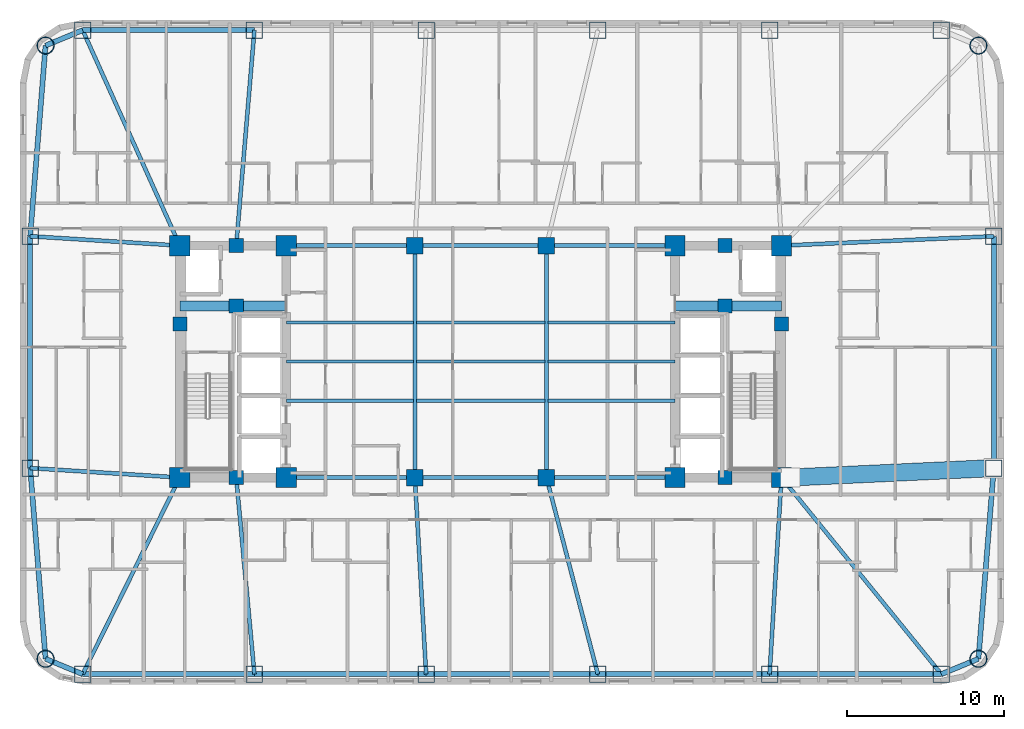
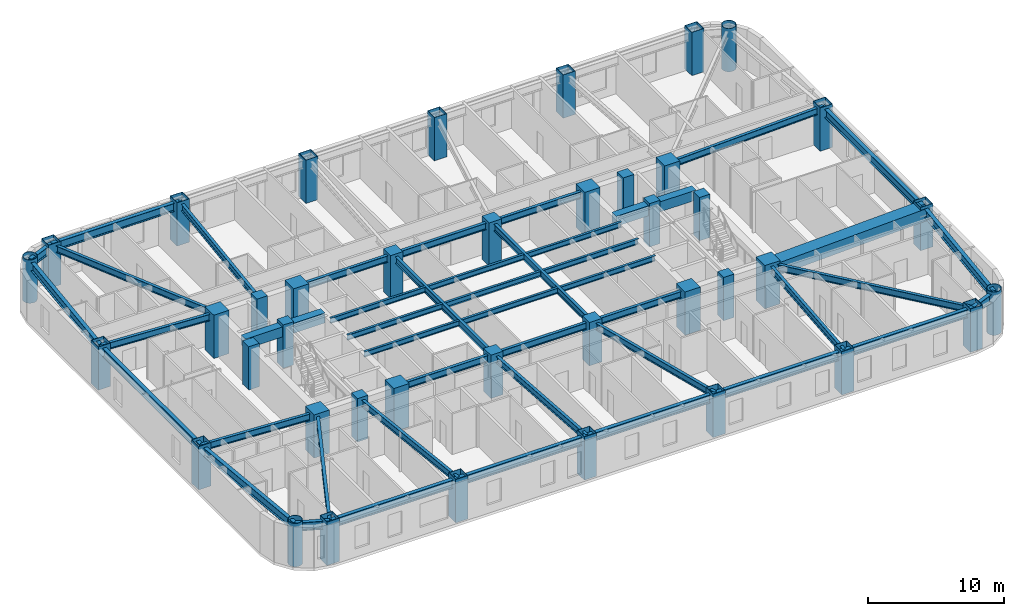
# One storey, part 1 of 12: 45 beams, 40 columns.
"""IFC4 building model written with IfcOpenShell, lengths in metres."""

from ifc_helpers import new_model, si_unit, direction, frame, origin, origin_2d, place, context, subcontext, project, spatial, rectangle, hollow_rectangle, hollow_circle, i_section, extrude, material, material_profile, profile_set, type_object, element, save


model = new_model("IFC4")

# Units and contexts
model_context = context("Model", 3, precision=1e-05, world=origin(), true_north=direction((0.0, 1.0)))
body_context = subcontext(model_context, "Body", "Model", "MODEL_VIEW")
ifc_project = project(units=[si_unit("LENGTHUNIT", "METRE"), si_unit("AREAUNIT", "SQUARE_METRE"), si_unit("VOLUMEUNIT", "CUBIC_METRE"), si_unit("PLANEANGLEUNIT", "RADIAN"), si_unit("MASSUNIT", "GRAM", prefix="KILO")], contexts=[model_context])

# Site, building, storey
site_placement = place(None, origin())
site = spatial("IfcSite", under=ifc_project, at=site_placement, CompositionType="ELEMENT")
building_placement = place(site_placement, origin())
building = spatial("IfcBuilding", under=site, at=building_placement, Name="Voryun Gate Residences", CompositionType="ELEMENT")
storey_placement = place(building_placement, frame((0.0, 0.0, 128.699951171875)))
storey = spatial("IfcBuildingStorey", under=building, at=storey_placement, Name="L31", CompositionType="ELEMENT", Elevation=128.699951171875)

# Columns
ifc_material_1 = material(Name="Concrete C50/60", Category="concrete")
ifc_material_profile_1 = material_profile(ifc_material_1, rectangle(XDim=1.050048828125, YDim=1.050048828125, at=origin_2d()), Name="RC-1050x1050")
ifc_profile_set_1 = profile_set([ifc_material_profile_1], Name="Concrete C50/60")
column_type_1 = type_object("IfcColumnType", Name="COL_CORE_1050", PredefinedType="COLUMN", material=ifc_profile_set_1)
for number, where, z_axis, x_axis, name in (
    (1, (-4.199951171875, -7.39990234375, 0.0), (0.0, 0.0, 1.0), (1.0, 0.0, 0.0), "L31 Interior spine column SP-WS"),
    (2, (-4.199951171875, 7.39990234375, 0.0), (0.0, 0.0, 1.0), (1.0, 0.0, 0.0), "L31 Interior spine column SP-WN"),
    (3, (4.199951171875, -7.39990234375, 0.0), (0.0, 0.0, 1.0), (1.0, 0.0, 0.0), "L31 Interior spine column SP-ES"),
    (4, (4.199951171875, 7.39990234375, 0.0), (0.0, 0.0, 1.0), (1.0, 0.0, 0.0), "L31 Interior spine column SP-EN"),
):
    element("IfcColumn", number, at=place(storey_placement, frame(where, z_axis=z_axis, x_axis=x_axis)), inside=storey, type_object=column_type_1, Name=name, PredefinedType="COLUMN", context=body_context, shape_type="SweptSolid", body=[
        extrude(rectangle(XDim=1.050048828125, YDim=1.050048828125, at=origin_2d()), origin(), (0.0, 0.0, 1.0), 3.900146484375),
    ])
ifc_material_2 = material(Name="Concrete C50/60", Category="concrete")
ifc_material_profile_2 = material_profile(ifc_material_2, rectangle(XDim=0.89990234375, YDim=0.89990234375, at=origin_2d()), Name="RC-900x900")
ifc_profile_set_2 = profile_set([ifc_material_profile_2], Name="Concrete C50/60")
column_type_2 = type_object("IfcColumnType", Name="COL_CORE_900", PredefinedType="COLUMN", material=ifc_profile_set_2)
for number, where, z_axis, x_axis, name in (
    (5, (-19.199951171875, 2.39990234375, 0.0), (0.0, 0.0, 1.0), (1.0, 0.0, 0.0), "L31 Core boundary column WC-MW"),
    (6, (-15.60009765625, -7.39990234375, 0.0), (0.0, 0.0, 1.0), (1.0, 0.0, 0.0), "L31 Core boundary column WC-SM"),
    (7, (-15.60009765625, 7.39990234375, 0.0), (0.0, 0.0, 1.0), (1.0, 0.0, 0.0), "L31 Core boundary column WC-NM"),
    (8, (-15.60009765625, 3.550048828125, 0.0), (0.0, 0.0, 1.0), (1.0, 0.0, 0.0), "L31 Core boundary column WC-MM"),
    (9, (15.60009765625, 3.550048828125, 0.0), (0.0, 0.0, 1.0), (1.0, 0.0, 0.0), "L31 Core boundary column EC-MM"),
    (10, (15.60009765625, -7.39990234375, 0.0), (0.0, 0.0, 1.0), (1.0, 0.0, 0.0), "L31 Core boundary column EC-SM"),
    (11, (15.60009765625, 7.39990234375, 0.0), (0.0, 0.0, 1.0), (1.0, 0.0, 0.0), "L31 Core boundary column EC-NM"),
    (12, (19.199951171875, 2.39990234375, 0.0), (0.0, 0.0, 1.0), (1.0, 0.0, 0.0), "L31 Core boundary column EC-ME"),
):
    element("IfcColumn", number, at=place(storey_placement, frame(where, z_axis=z_axis, x_axis=x_axis)), inside=storey, type_object=column_type_2, Name=name, PredefinedType="COLUMN", context=body_context, shape_type="SweptSolid", body=[
        extrude(rectangle(XDim=0.89990234375, YDim=0.89990234375, at=origin_2d()), origin(), (0.0, 0.0, 1.0), 3.900146484375),
    ])
ifc_material_3 = material(Name="Steel SM420", Category="steel")
ifc_material_profile_3 = material_profile(ifc_material_3, hollow_circle(Radius=0.550048828125, WallThickness=0.035888671875, at=origin_2d()), Name="CHS-1100x36")
ifc_profile_set_3 = profile_set([ifc_material_profile_3], Name="Steel SM420")
column_type_3 = type_object("IfcColumnType", Name="COL_CRN_1100", PredefinedType="COLUMN", material=ifc_profile_set_3)
for number, where, z_axis, x_axis, name in (
    (13, (31.768798828125, -18.96875, 0.0), (0.0, 0.0, 1.0), (1.0, 0.0, 0.0), "L31 Exoskeleton column CSE"),
    (14, (31.768798828125, 20.168701171875, 0.0), (0.0, 0.0, 1.0), (1.0, 0.0, 0.0), "L31 Exoskeleton column CNE"),
    (15, (-27.768798828125, 20.168701171875, 0.0), (0.0, 0.0, 1.0), (1.0, 0.0, 0.0), "L31 Exoskeleton column CNW"),
    (16, (-27.768798828125, -18.96875, 0.0), (0.0, 0.0, 1.0), (1.0, 0.0, 0.0), "L31 Exoskeleton column CSW"),
):
    element("IfcColumn", number, at=place(storey_placement, frame(where, z_axis=z_axis, x_axis=x_axis)), inside=storey, type_object=column_type_3, Name=name, PredefinedType="COLUMN", context=body_context, shape_type="SweptSolid", body=[
        extrude(hollow_circle(Radius=0.550048828125, WallThickness=0.035888671875, at=origin_2d()), origin(), (0.0, 0.0, 1.0), 3.900146484375),
    ])
ifc_material_4 = material(Name="Steel SM420", Category="steel")
ifc_material_profile_4 = material_profile(ifc_material_4, hollow_rectangle(XDim=1.050048828125, YDim=1.050048828125, WallThickness=0.035888671875, at=origin_2d()), Name="BOX-1050x1050x36")
ifc_profile_set_4 = profile_set([ifc_material_profile_4], Name="Steel SM420")
column_type_4 = type_object("IfcColumnType", Name="COL_EXO_B2", PredefinedType="COLUMN", material=ifc_profile_set_4)
for number, where, z_axis, x_axis, name in (
    (17, (-25.39990234375, -19.949951171875, 0.0), (0.0, 0.0, 1.0), (1.0, 0.0, 0.0), "L31 Exoskeleton column S1"),
    (18, (-14.43994140625, -19.949951171875, 0.0), (0.0, 0.0, 1.0), (1.0, 0.0, 0.0), "L31 Exoskeleton column S2"),
    (19, (-3.47998046875, -19.949951171875, 0.0), (0.0, 0.0, 1.0), (1.0, 0.0, 0.0), "L31 Exoskeleton column S3"),
    (20, (7.47998046875, -19.949951171875, 0.0), (0.0, 0.0, 1.0), (1.0, 0.0, 0.0), "L31 Exoskeleton column S4"),
    (21, (18.43994140625, -19.949951171875, 0.0), (0.0, 0.0, 1.0), (1.0, 0.0, 0.0), "L31 Exoskeleton column S5"),
    (22, (29.39990234375, -19.949951171875, 0.0), (0.0, 0.0, 1.0), (1.0, 0.0, 0.0), "L31 Exoskeleton column S6"),
    (23, (32.75, -6.798095703125, 0.0), (0.0, 0.0, 1.0), (1.0, 0.0, 0.0), "L31 Exoskeleton column E1"),
    (24, (32.75, 7.998046875, 0.0), (0.0, 0.0, 1.0), (1.0, 0.0, 0.0), "L31 Exoskeleton column E2"),
    (25, (29.39990234375, 21.14990234375, 0.0), (0.0, 0.0, 1.0), (1.0, 0.0, 0.0), "L31 Exoskeleton column N1"),
    (26, (18.43994140625, 21.14990234375, 0.0), (0.0, 0.0, 1.0), (1.0, 0.0, 0.0), "L31 Exoskeleton column N2"),
    (27, (7.47998046875, 21.14990234375, 0.0), (0.0, 0.0, 1.0), (1.0, 0.0, 0.0), "L31 Exoskeleton column N3"),
    (28, (-3.47998046875, 21.14990234375, 0.0), (0.0, 0.0, 1.0), (1.0, 0.0, 0.0), "L31 Exoskeleton column N4"),
    (29, (-14.43994140625, 21.14990234375, 0.0), (0.0, 0.0, 1.0), (1.0, 0.0, 0.0), "L31 Exoskeleton column N5"),
    (30, (-25.39990234375, 21.14990234375, 0.0), (0.0, 0.0, 1.0), (1.0, 0.0, 0.0), "L31 Exoskeleton column N6"),
    (31, (-28.75, 7.998046875, 0.0), (0.0, 0.0, 1.0), (1.0, 0.0, 0.0), "L31 Exoskeleton column W1"),
    (32, (-28.75, -6.798095703125, 0.0), (0.0, 0.0, 1.0), (1.0, 0.0, 0.0), "L31 Exoskeleton column W2"),
):
    element("IfcColumn", number, at=place(storey_placement, frame(where, z_axis=z_axis, x_axis=x_axis)), inside=storey, type_object=column_type_4, Name=name, PredefinedType="COLUMN", context=body_context, shape_type="SweptSolid", body=[
        extrude(hollow_rectangle(XDim=1.050048828125, YDim=1.050048828125, WallThickness=0.035888671875, at=origin_2d()), origin(), (0.0, 0.0, 1.0), 3.900146484375),
    ])
ifc_material_5 = material(Name="Concrete C60/75", Category="concrete")
ifc_material_profile_5 = material_profile(ifc_material_5, rectangle(XDim=1.300048828125, YDim=1.300048828125, at=origin_2d()), Name="RC-1300x1300")
ifc_profile_set_5 = profile_set([ifc_material_profile_5], Name="Concrete C60/75")
column_type_5 = type_object("IfcColumnType", Name="COL_MEGA_1300", PredefinedType="COLUMN", material=ifc_profile_set_5)
for number, where, z_axis, x_axis, name in (
    (33, (-19.199951171875, -7.39990234375, 0.0), (0.0, 0.0, 1.0), (1.0, 0.0, 0.0), "L31 Core boundary column WC-SW"),
    (34, (-19.199951171875, 7.39990234375, 0.0), (0.0, 0.0, 1.0), (1.0, 0.0, 0.0), "L31 Core boundary column WC-NW"),
    (35, (-12.39990234375, -7.39990234375, 0.0), (0.0, 0.0, 1.0), (1.0, 0.0, 0.0), "L31 Core boundary column WC-SE"),
    (36, (-12.39990234375, 7.39990234375, 0.0), (0.0, 0.0, 1.0), (1.0, 0.0, 0.0), "L31 Core boundary column WC-NE"),
    (37, (12.39990234375, -7.39990234375, 0.0), (0.0, 0.0, 1.0), (1.0, 0.0, 0.0), "L31 Core boundary column EC-SW"),
    (38, (12.39990234375, 7.39990234375, 0.0), (0.0, 0.0, 1.0), (1.0, 0.0, 0.0), "L31 Core boundary column EC-NW"),
    (39, (19.199951171875, -7.39990234375, 0.0), (0.0, 0.0, 1.0), (1.0, 0.0, 0.0), "L31 Core boundary column EC-SE"),
    (40, (19.199951171875, 7.39990234375, 0.0), (0.0, 0.0, 1.0), (1.0, 0.0, 0.0), "L31 Core boundary column EC-NE"),
):
    element("IfcColumn", number, at=place(storey_placement, frame(where, z_axis=z_axis, x_axis=x_axis)), inside=storey, type_object=column_type_5, Name=name, PredefinedType="COLUMN", context=body_context, shape_type="SweptSolid", body=[
        extrude(rectangle(XDim=1.300048828125, YDim=1.300048828125, at=origin_2d()), origin(), (0.0, 0.0, 1.0), 3.900146484375),
    ])

# Beams
ifc_material_6 = material(Name="Steel SM420", Category="steel")
ifc_material_profile_6 = material_profile(ifc_material_6, hollow_rectangle(XDim=1.10009765625, YDim=1.10009765625, WallThickness=0.035888671875, at=origin_2d()), Name="BOX-1100x1100x36")
ifc_profile_set_6 = profile_set([ifc_material_profile_6], Name="Steel SM420")
beam_type_1 = type_object("IfcBeamType", Name="BM_ARCH_RIB", PredefinedType="USERDEFINED", material=ifc_profile_set_6)
beam_1_placement = place(storey_placement, frame((19.75, -7.39990234375, 3.10009765625), z_axis=(0.998930206616, 0.046243294759, 0.0), x_axis=(-0.046243294759, 0.998930206616, 0.0)))
element("IfcBeam", 41, at=beam_1_placement, inside=storey, type_object=beam_type_1, Name="BM-L31-RAD-E1", ObjectType="GIRDER", PredefinedType="USERDEFINED", context=body_context, shape_type="SweptSolid", body=[
    extrude(hollow_rectangle(XDim=1.10009765625, YDim=1.10009765625, WallThickness=0.035888671875, at=origin_2d()), origin(), (0.0, 0.0, 1.0), 13.013916015625),
])
ifc_material_7 = material(Name="Concrete C60/75", Category="concrete")
ifc_material_profile_7 = material_profile(ifc_material_7, rectangle(XDim=0.64990234375, YDim=0.89990234375, at=origin_2d()), Name="RC-650x900")
ifc_profile_set_7 = profile_set([ifc_material_profile_7], Name="Concrete C60/75")
beam_type_2 = type_object("IfcBeamType", Name="BM_COUP_RC900", PredefinedType="LINTEL", material=ifc_profile_set_7)
for number, where, z_axis, x_axis, name in (
    (42, (-19.199951171875, 3.550048828125, 3.199951171875), (1.0, 0.0, 0.0), (0.0, 1.0, 0.0), "BM-L31-WC1"),
    (43, (12.39990234375, 3.550048828125, 3.199951171875), (1.0, 0.0, 0.0), (0.0, 1.0, 0.0), "BM-L31-EC1"),
):
    element("IfcBeam", number, at=place(storey_placement, frame(where, z_axis=z_axis, x_axis=x_axis)), inside=storey, type_object=beam_type_2, Name=name, PredefinedType="LINTEL", context=body_context, shape_type="SweptSolid", body=[
        extrude(rectangle(XDim=0.64990234375, YDim=0.89990234375, at=origin_2d()), origin(), (0.0, 0.0, 1.0), 6.800048828125),
    ])
ifc_material_8 = material(Name="Steel SM355", Category="steel")
ifc_material_profile_8 = material_profile(ifc_material_8, i_section(OverallWidth=0.320068359375, OverallDepth=0.75, WebThickness=0.01611328125, FlangeThickness=0.028076171875, FilletRadius=0.01806640625, at=origin_2d()), Name="H-750x320x16x28")
ifc_profile_set_8 = profile_set([ifc_material_profile_8], Name="Steel SM355")
beam_type_3 = type_object("IfcBeamType", Name="BM_EXO_SPANDREL_L", PredefinedType="SPANDREL", material=ifc_profile_set_8)
for number, where, z_axis, x_axis, name in (
    (44, (-25.39990234375, -19.949951171875, 3.275146484375), (1.0, 0.0, 0.0), (0.0, 1.0, 0.0), "BM-L31-SPAND-01"),
    (45, (-14.43994140625, -19.949951171875, 3.275146484375), (1.0, 0.0, 0.0), (0.0, 1.0, 0.0), "BM-L31-SPAND-02"),
    (46, (-3.47998046875, -19.949951171875, 3.275146484375), (1.0, 0.0, 0.0), (0.0, 1.0, 0.0), "BM-L31-SPAND-03"),
    (47, (7.47998046875, -19.949951171875, 3.275146484375), (1.0, 0.0, 0.0), (0.0, 1.0, 0.0), "BM-L31-SPAND-04"),
    (48, (18.43994140625, -19.949951171875, 3.275146484375), (1.0, 0.0, 0.0), (0.0, 1.0, 0.0), "BM-L31-SPAND-05"),
):
    element("IfcBeam", number, at=place(storey_placement, frame(where, z_axis=z_axis, x_axis=x_axis)), inside=storey, type_object=beam_type_3, Name=name, PredefinedType="SPANDREL", context=body_context, shape_type="SweptSolid", body=[
        extrude(i_section(OverallWidth=0.320068359375, OverallDepth=0.75, WebThickness=0.01611328125, FlangeThickness=0.028076171875, FilletRadius=0.01806640625, at=origin_2d()), origin(), (0.0, 0.0, 1.0), 10.9599609375),
    ])
beam_2_placement = place(storey_placement, frame((29.39990234375, -19.949951171875, 3.275146484375), z_axis=(0.923883376753, 0.382674151414, 0.0), x_axis=(-0.382674151414, 0.923883376753, 0.0)))
element("IfcBeam", 49, at=beam_2_placement, inside=storey, type_object=beam_type_3, Name="BM-L31-SPAND-06", PredefinedType="SPANDREL", context=body_context, shape_type="SweptSolid", body=[
    extrude(i_section(OverallWidth=0.320068359375, OverallDepth=0.75, WebThickness=0.01611328125, FlangeThickness=0.028076171875, FilletRadius=0.01806640625, at=origin_2d()), origin(), (0.0, 0.0, 1.0), 2.56396484375),
])
beam_3_placement = place(storey_placement, frame((31.768798828125, -18.96875, 3.275146484375), z_axis=(0.080359517973, 0.996765944378, 0.0), x_axis=(-0.996765944378, 0.080359517973, 0.0)))
element("IfcBeam", 50, at=beam_3_placement, inside=storey, type_object=beam_type_3, Name="BM-L31-SPAND-07", PredefinedType="SPANDREL", context=body_context, shape_type="SweptSolid", body=[
    extrude(i_section(OverallWidth=0.320068359375, OverallDepth=0.75, WebThickness=0.01611328125, FlangeThickness=0.028076171875, FilletRadius=0.01806640625, at=origin_2d()), origin(), (0.0, 0.0, 1.0), 12.210205078125),
])
beam_4_placement = place(storey_placement, frame((32.75, -6.798095703125, 3.275146484375), z_axis=(0.0, 1.0, 0.0), x_axis=(-1.0, 0.0, 0.0)))
element("IfcBeam", 51, at=beam_4_placement, inside=storey, type_object=beam_type_3, Name="BM-L31-SPAND-08", PredefinedType="SPANDREL", context=body_context, shape_type="SweptSolid", body=[
    extrude(i_section(OverallWidth=0.320068359375, OverallDepth=0.75, WebThickness=0.01611328125, FlangeThickness=0.028076171875, FilletRadius=0.01806640625, at=origin_2d()), origin(), (0.0, 0.0, 1.0), 14.796142578125),
])
beam_5_placement = place(storey_placement, frame((-14.43994140625, 21.14990234375, 3.275146484375), z_axis=(-1.0, 0.0, 0.0), x_axis=(0.0, -1.0, 0.0)))
element("IfcBeam", 52, at=beam_5_placement, inside=storey, type_object=beam_type_3, Name="BM-L31-SPAND-15", PredefinedType="SPANDREL", context=body_context, shape_type="SweptSolid", body=[
    extrude(i_section(OverallWidth=0.320068359375, OverallDepth=0.75, WebThickness=0.01611328125, FlangeThickness=0.028076171875, FilletRadius=0.01806640625, at=origin_2d()), origin(), (0.0, 0.0, 1.0), 10.9599609375),
])
beam_6_placement = place(storey_placement, frame((-25.39990234375, 21.14990234375, 3.275146484375), z_axis=(-0.923883376753, -0.382674151414, 0.0), x_axis=(0.382674151414, -0.923883376753, 0.0)))
element("IfcBeam", 53, at=beam_6_placement, inside=storey, type_object=beam_type_3, Name="BM-L31-SPAND-16", PredefinedType="SPANDREL", context=body_context, shape_type="SweptSolid", body=[
    extrude(i_section(OverallWidth=0.320068359375, OverallDepth=0.75, WebThickness=0.01611328125, FlangeThickness=0.028076171875, FilletRadius=0.01806640625, at=origin_2d()), origin(), (0.0, 0.0, 1.0), 2.56396484375),
])
beam_7_placement = place(storey_placement, frame((-27.768798828125, 20.168701171875, 3.275146484375), z_axis=(-0.080359517973, -0.996765944378, 0.0), x_axis=(0.996765944378, -0.080359517973, 0.0)))
element("IfcBeam", 54, at=beam_7_placement, inside=storey, type_object=beam_type_3, Name="BM-L31-SPAND-17", PredefinedType="SPANDREL", context=body_context, shape_type="SweptSolid", body=[
    extrude(i_section(OverallWidth=0.320068359375, OverallDepth=0.75, WebThickness=0.01611328125, FlangeThickness=0.028076171875, FilletRadius=0.01806640625, at=origin_2d()), origin(), (0.0, 0.0, 1.0), 12.210205078125),
])
beam_8_placement = place(storey_placement, frame((-28.75, 7.998046875, 3.275146484375), z_axis=(0.0, -1.0, 0.0), x_axis=(1.0, 0.0, 0.0)))
element("IfcBeam", 55, at=beam_8_placement, inside=storey, type_object=beam_type_3, Name="BM-L31-SPAND-18", PredefinedType="SPANDREL", context=body_context, shape_type="SweptSolid", body=[
    extrude(i_section(OverallWidth=0.320068359375, OverallDepth=0.75, WebThickness=0.01611328125, FlangeThickness=0.028076171875, FilletRadius=0.01806640625, at=origin_2d()), origin(), (0.0, 0.0, 1.0), 14.796142578125),
])
beam_9_placement = place(storey_placement, frame((-28.75, -6.798095703125, 3.275146484375), z_axis=(0.080359517973, -0.996765944378, 0.0), x_axis=(0.996765944378, 0.080359517973, 0.0)))
element("IfcBeam", 56, at=beam_9_placement, inside=storey, type_object=beam_type_3, Name="BM-L31-SPAND-19", PredefinedType="SPANDREL", context=body_context, shape_type="SweptSolid", body=[
    extrude(i_section(OverallWidth=0.320068359375, OverallDepth=0.75, WebThickness=0.01611328125, FlangeThickness=0.028076171875, FilletRadius=0.01806640625, at=origin_2d()), origin(), (0.0, 0.0, 1.0), 12.210205078125),
])
beam_10_placement = place(storey_placement, frame((-27.768798828125, -18.96875, 3.275146484375), z_axis=(0.923883376753, -0.382674151414, 0.0), x_axis=(0.382674151414, 0.923883376753, 0.0)))
element("IfcBeam", 57, at=beam_10_placement, inside=storey, type_object=beam_type_3, Name="BM-L31-SPAND-20", PredefinedType="SPANDREL", context=body_context, shape_type="SweptSolid", body=[
    extrude(i_section(OverallWidth=0.320068359375, OverallDepth=0.75, WebThickness=0.01611328125, FlangeThickness=0.028076171875, FilletRadius=0.01806640625, at=origin_2d()), origin(), (0.0, 0.0, 1.0), 2.56396484375),
])
ifc_material_9 = material(Name="Steel SM355", Category="steel")
ifc_material_profile_9 = material_profile(ifc_material_9, i_section(OverallWidth=0.25, OverallDepth=0.60009765625, WebThickness=0.011962890625, FlangeThickness=0.02197265625, FilletRadius=0.01806640625, at=origin_2d()), Name="H-600x250x12x22")
ifc_profile_set_9 = profile_set([ifc_material_profile_9], Name="Steel SM355")
beam_type_4 = type_object("IfcBeamType", Name="BM_GIRD_600", PredefinedType="USERDEFINED", material=ifc_profile_set_9)
beam_11_placement = place(storey_placement, frame((-12.39990234375, -7.39990234375, 3.35009765625), z_axis=(1.0, 0.0, 0.0), x_axis=(0.0, 1.0, 0.0)))
element("IfcBeam", 58, at=beam_11_placement, inside=storey, type_object=beam_type_4, Name="BM-L31-SPG1-S", ObjectType="GIRDER", PredefinedType="USERDEFINED", context=body_context, shape_type="SweptSolid", body=[
    extrude(i_section(OverallWidth=0.25, OverallDepth=0.60009765625, WebThickness=0.011962890625, FlangeThickness=0.02197265625, FilletRadius=0.01806640625, at=origin_2d()), origin(), (0.0, 0.0, 1.0), 8.199951171875),
])
beam_12_placement = place(storey_placement, frame((-4.199951171875, -7.39990234375, 3.35009765625), z_axis=(1.0, 0.0, 0.0), x_axis=(0.0, 1.0, 0.0)))
element("IfcBeam", 59, at=beam_12_placement, inside=storey, type_object=beam_type_4, Name="BM-L31-SPG2-S", ObjectType="GIRDER", PredefinedType="USERDEFINED", context=body_context, shape_type="SweptSolid", body=[
    extrude(i_section(OverallWidth=0.25, OverallDepth=0.60009765625, WebThickness=0.011962890625, FlangeThickness=0.02197265625, FilletRadius=0.01806640625, at=origin_2d()), origin(), (0.0, 0.0, 1.0), 8.39990234375),
])
for number, where, z_axis, x_axis, name in (
    (60, (4.199951171875, -7.39990234375, 3.35009765625), (1.0, 0.0, 0.0), (0.0, 1.0, 0.0), "BM-L31-SPG3-S"),
    (61, (-12.39990234375, 7.39990234375, 3.35009765625), (1.0, 0.0, 0.0), (0.0, 1.0, 0.0), "BM-L31-SPG1-N"),
):
    element("IfcBeam", number, at=place(storey_placement, frame(where, z_axis=z_axis, x_axis=x_axis)), inside=storey, type_object=beam_type_4, Name=name, ObjectType="GIRDER", PredefinedType="USERDEFINED", context=body_context, shape_type="SweptSolid", body=[
        extrude(i_section(OverallWidth=0.25, OverallDepth=0.60009765625, WebThickness=0.011962890625, FlangeThickness=0.02197265625, FilletRadius=0.01806640625, at=origin_2d()), origin(), (0.0, 0.0, 1.0), 8.199951171875),
    ])
beam_13_placement = place(storey_placement, frame((-4.199951171875, 7.39990234375, 3.35009765625), z_axis=(1.0, 0.0, 0.0), x_axis=(0.0, 1.0, 0.0)))
element("IfcBeam", 62, at=beam_13_placement, inside=storey, type_object=beam_type_4, Name="BM-L31-SPG2-N", ObjectType="GIRDER", PredefinedType="USERDEFINED", context=body_context, shape_type="SweptSolid", body=[
    extrude(i_section(OverallWidth=0.25, OverallDepth=0.60009765625, WebThickness=0.011962890625, FlangeThickness=0.02197265625, FilletRadius=0.01806640625, at=origin_2d()), origin(), (0.0, 0.0, 1.0), 8.39990234375),
])
beam_14_placement = place(storey_placement, frame((4.199951171875, 7.39990234375, 3.35009765625), z_axis=(1.0, 0.0, 0.0), x_axis=(0.0, 1.0, 0.0)))
element("IfcBeam", 63, at=beam_14_placement, inside=storey, type_object=beam_type_4, Name="BM-L31-SPG3-N", ObjectType="GIRDER", PredefinedType="USERDEFINED", context=body_context, shape_type="SweptSolid", body=[
    extrude(i_section(OverallWidth=0.25, OverallDepth=0.60009765625, WebThickness=0.011962890625, FlangeThickness=0.02197265625, FilletRadius=0.01806640625, at=origin_2d()), origin(), (0.0, 0.0, 1.0), 8.199951171875),
])
for number, where, z_axis, x_axis, name in (
    (64, (-4.199951171875, -7.39990234375, 3.35009765625), (0.0, 1.0, 0.0), (-1.0, 0.0, 0.0), "BM-L31-SPX-W"),
    (65, (4.199951171875, -7.39990234375, 3.35009765625), (0.0, 1.0, 0.0), (-1.0, 0.0, 0.0), "BM-L31-SPX-E"),
):
    element("IfcBeam", number, at=place(storey_placement, frame(where, z_axis=z_axis, x_axis=x_axis)), inside=storey, type_object=beam_type_4, Name=name, ObjectType="GIRDER", PredefinedType="USERDEFINED", context=body_context, shape_type="SweptSolid", body=[
        extrude(i_section(OverallWidth=0.25, OverallDepth=0.60009765625, WebThickness=0.011962890625, FlangeThickness=0.02197265625, FilletRadius=0.01806640625, at=origin_2d()), origin(), (0.0, 0.0, 1.0), 14.7998046875),
    ])
beam_15_placement = place(storey_placement, frame((-19.199951171875, -7.39990234375, 3.35009765625), z_axis=(-0.442917927955, -0.896562161312, 0.0), x_axis=(0.896562161312, -0.442917927955, 0.0)))
element("IfcBeam", 66, at=beam_15_placement, inside=storey, type_object=beam_type_4, Name="BM-L31-RAD-S1", ObjectType="GIRDER", PredefinedType="USERDEFINED", context=body_context, shape_type="SweptSolid", body=[
    extrude(i_section(OverallWidth=0.25, OverallDepth=0.60009765625, WebThickness=0.011962890625, FlangeThickness=0.02197265625, FilletRadius=0.01806640625, at=origin_2d()), origin(), (0.0, 0.0, 1.0), 13.998046875),
])
beam_16_placement = place(storey_placement, frame((-15.60009765625, -7.39990234375, 3.35009765625), z_axis=(0.092049895705, -0.995754395773, 0.0), x_axis=(0.995754395773, 0.092049895705, 0.0)))
element("IfcBeam", 67, at=beam_16_placement, inside=storey, type_object=beam_type_4, Name="BM-L31-RAD-S2", ObjectType="GIRDER", PredefinedType="USERDEFINED", context=body_context, shape_type="SweptSolid", body=[
    extrude(i_section(OverallWidth=0.25, OverallDepth=0.60009765625, WebThickness=0.011962890625, FlangeThickness=0.02197265625, FilletRadius=0.01806640625, at=origin_2d()), origin(), (0.0, 0.0, 1.0), 12.603515625),
])
beam_17_placement = place(storey_placement, frame((-4.199951171875, -7.39990234375, 3.35009765625), z_axis=(0.057273791334, -0.998358509167, 0.0), x_axis=(0.998358509167, 0.057273791334, 0.0)))
element("IfcBeam", 68, at=beam_17_placement, inside=storey, type_object=beam_type_4, Name="BM-L31-RAD-S3", ObjectType="GIRDER", PredefinedType="USERDEFINED", context=body_context, shape_type="SweptSolid", body=[
    extrude(i_section(OverallWidth=0.25, OverallDepth=0.60009765625, WebThickness=0.011962890625, FlangeThickness=0.02197265625, FilletRadius=0.01806640625, at=origin_2d()), origin(), (0.0, 0.0, 1.0), 12.57080078125),
])
beam_18_placement = place(storey_placement, frame((4.199951171875, -7.39990234375, 3.35009765625), z_axis=(0.252862419611, -0.967502246379, 0.0), x_axis=(0.967502246379, 0.252862419611, 0.0)))
element("IfcBeam", 69, at=beam_18_placement, inside=storey, type_object=beam_type_4, Name="BM-L31-RAD-S4", ObjectType="GIRDER", PredefinedType="USERDEFINED", context=body_context, shape_type="SweptSolid", body=[
    extrude(i_section(OverallWidth=0.25, OverallDepth=0.60009765625, WebThickness=0.011962890625, FlangeThickness=0.02197265625, FilletRadius=0.01806640625, at=origin_2d()), origin(), (0.0, 0.0, 1.0), 12.9716796875),
])
beam_19_placement = place(storey_placement, frame((19.199951171875, -7.39990234375, 3.35009765625), z_axis=(-0.060447572917, -0.998171373527, 0.0), x_axis=(0.998171373527, -0.060447572917, 0.0)))
element("IfcBeam", 70, at=beam_19_placement, inside=storey, type_object=beam_type_4, Name="BM-L31-RAD-S5", ObjectType="GIRDER", PredefinedType="USERDEFINED", context=body_context, shape_type="SweptSolid", body=[
    extrude(i_section(OverallWidth=0.25, OverallDepth=0.60009765625, WebThickness=0.011962890625, FlangeThickness=0.02197265625, FilletRadius=0.01806640625, at=origin_2d()), origin(), (0.0, 0.0, 1.0), 12.572998046875),
])
beam_20_placement = place(storey_placement, frame((19.199951171875, -7.39990234375, 3.35009765625), z_axis=(0.63070571586, -0.776022100189, 0.0), x_axis=(0.776022100189, 0.63070571586, 0.0)))
element("IfcBeam", 71, at=beam_20_placement, inside=storey, type_object=beam_type_4, Name="BM-L31-RAD-S6", ObjectType="GIRDER", PredefinedType="USERDEFINED", context=body_context, shape_type="SweptSolid", body=[
    extrude(i_section(OverallWidth=0.25, OverallDepth=0.60009765625, WebThickness=0.011962890625, FlangeThickness=0.02197265625, FilletRadius=0.01806640625, at=origin_2d()), origin(), (0.0, 0.0, 1.0), 16.17236328125),
])
beam_21_placement = place(storey_placement, frame((19.199951171875, 7.39990234375, 3.35009765625), z_axis=(0.999027104014, 0.044100401882, 0.0), x_axis=(-0.044100401882, 0.999027104014, 0.0)))
element("IfcBeam", 72, at=beam_21_placement, inside=storey, type_object=beam_type_4, Name="BM-L31-RAD-E2", ObjectType="GIRDER", PredefinedType="USERDEFINED", context=body_context, shape_type="SweptSolid", body=[
    extrude(i_section(OverallWidth=0.25, OverallDepth=0.60009765625, WebThickness=0.011962890625, FlangeThickness=0.02197265625, FilletRadius=0.01806640625, at=origin_2d()), origin(), (0.0, 0.0, 1.0), 13.563232421875),
])
beam_22_placement = place(storey_placement, frame((-15.60009765625, 7.39990234375, 3.35009765625), z_axis=(0.084076255415, 0.996459323442, 0.0), x_axis=(-0.996459323442, 0.084076255415, 0.0)))
element("IfcBeam", 73, at=beam_22_placement, inside=storey, type_object=beam_type_4, Name="BM-L31-RAD-N5", ObjectType="GIRDER", PredefinedType="USERDEFINED", context=body_context, shape_type="SweptSolid", body=[
    extrude(i_section(OverallWidth=0.25, OverallDepth=0.60009765625, WebThickness=0.011962890625, FlangeThickness=0.02197265625, FilletRadius=0.01806640625, at=origin_2d()), origin(), (0.0, 0.0, 1.0), 13.798828125),
])
beam_23_placement = place(storey_placement, frame((-19.199951171875, 7.39990234375, 3.35009765625), z_axis=(-0.411051048554, 0.911612327408, 0.0), x_axis=(-0.911612327408, -0.411051048554, 0.0)))
element("IfcBeam", 74, at=beam_23_placement, inside=storey, type_object=beam_type_4, Name="BM-L31-RAD-N6", ObjectType="GIRDER", PredefinedType="USERDEFINED", context=body_context, shape_type="SweptSolid", body=[
    extrude(i_section(OverallWidth=0.25, OverallDepth=0.60009765625, WebThickness=0.011962890625, FlangeThickness=0.02197265625, FilletRadius=0.01806640625, at=origin_2d()), origin(), (0.0, 0.0, 1.0), 15.083251953125),
])
beam_24_placement = place(storey_placement, frame((-19.199951171875, 7.39990234375, 3.35009765625), z_axis=(-0.998044329736, 0.062510126233, 0.0), x_axis=(-0.062510126233, -0.998044329736, 0.0)))
element("IfcBeam", 75, at=beam_24_placement, inside=storey, type_object=beam_type_4, Name="BM-L31-RAD-W1", ObjectType="GIRDER", PredefinedType="USERDEFINED", context=body_context, shape_type="SweptSolid", body=[
    extrude(i_section(OverallWidth=0.25, OverallDepth=0.60009765625, WebThickness=0.011962890625, FlangeThickness=0.02197265625, FilletRadius=0.01806640625, at=origin_2d()), origin(), (0.0, 0.0, 1.0), 9.56884765625),
])
beam_25_placement = place(storey_placement, frame((-19.199951171875, -7.39990234375, 3.35009765625), z_axis=(-0.998020380726, 0.062891332119, 0.0), x_axis=(-0.062891332119, -0.998020380726, 0.0)))
element("IfcBeam", 76, at=beam_25_placement, inside=storey, type_object=beam_type_4, Name="BM-L31-RAD-W2", ObjectType="GIRDER", PredefinedType="USERDEFINED", context=body_context, shape_type="SweptSolid", body=[
    extrude(i_section(OverallWidth=0.25, OverallDepth=0.60009765625, WebThickness=0.011962890625, FlangeThickness=0.02197265625, FilletRadius=0.01806640625, at=origin_2d()), origin(), (0.0, 0.0, 1.0), 9.569091796875),
])
ifc_material_10 = material(Name="Steel SM355", Category="steel")
ifc_material_profile_10 = material_profile(ifc_material_10, i_section(OverallWidth=0.199951171875, OverallDepth=0.47998046875, WebThickness=0.010009765625, FlangeThickness=0.01806640625, FilletRadius=0.01806640625, at=origin_2d()), Name="H-480x200x10x18")
ifc_profile_set_10 = profile_set([ifc_material_profile_10], Name="Steel SM355")
beam_type_5 = type_object("IfcBeamType", Name="BM_SEC_480", PredefinedType="BEAM", material=ifc_profile_set_10)
beam_26_placement = place(storey_placement, frame((-12.39990234375, -2.5, 3.41015625), z_axis=(1.0, 0.0, 0.0), x_axis=(0.0, 1.0, 0.0)))
element("IfcBeam", 77, at=beam_26_placement, inside=storey, type_object=beam_type_5, Name="BM-L31-SEC-CS1", PredefinedType="BEAM", context=body_context, shape_type="SweptSolid", body=[
    extrude(i_section(OverallWidth=0.199951171875, OverallDepth=0.47998046875, WebThickness=0.010009765625, FlangeThickness=0.01806640625, FilletRadius=0.01806640625, at=origin_2d()), origin(), (0.0, 0.0, 1.0), 8.099853515625),
])
beam_27_placement = place(storey_placement, frame((-4.10009765625, -2.5, 3.41015625), z_axis=(1.0, 0.0, 0.0), x_axis=(0.0, 1.0, 0.0)))
element("IfcBeam", 78, at=beam_27_placement, inside=storey, type_object=beam_type_5, Name="BM-L31-SEC-CS2", PredefinedType="BEAM", context=body_context, shape_type="SweptSolid", body=[
    extrude(i_section(OverallWidth=0.199951171875, OverallDepth=0.47998046875, WebThickness=0.010009765625, FlangeThickness=0.01806640625, FilletRadius=0.01806640625, at=origin_2d()), origin(), (0.0, 0.0, 1.0), 8.2001953125),
])
for number, where, z_axis, x_axis, name in (
    (79, (4.300048828125, -2.5, 3.41015625), (1.0, 0.0, 0.0), (0.0, 1.0, 0.0), "BM-L31-SEC-CS3"),
    (80, (-12.39990234375, 0.0, 3.41015625), (1.0, 0.0, 0.0), (0.0, 1.0, 0.0), "BM-L31-SEC-CM1"),
):
    element("IfcBeam", number, at=place(storey_placement, frame(where, z_axis=z_axis, x_axis=x_axis)), inside=storey, type_object=beam_type_5, Name=name, PredefinedType="BEAM", context=body_context, shape_type="SweptSolid", body=[
        extrude(i_section(OverallWidth=0.199951171875, OverallDepth=0.47998046875, WebThickness=0.010009765625, FlangeThickness=0.01806640625, FilletRadius=0.01806640625, at=origin_2d()), origin(), (0.0, 0.0, 1.0), 8.099853515625),
    ])
beam_28_placement = place(storey_placement, frame((-4.10009765625, 0.0, 3.41015625), z_axis=(1.0, 0.0, 0.0), x_axis=(0.0, 1.0, 0.0)))
element("IfcBeam", 81, at=beam_28_placement, inside=storey, type_object=beam_type_5, Name="BM-L31-SEC-CM2", PredefinedType="BEAM", context=body_context, shape_type="SweptSolid", body=[
    extrude(i_section(OverallWidth=0.199951171875, OverallDepth=0.47998046875, WebThickness=0.010009765625, FlangeThickness=0.01806640625, FilletRadius=0.01806640625, at=origin_2d()), origin(), (0.0, 0.0, 1.0), 8.2001953125),
])
for number, where, z_axis, x_axis, name in (
    (82, (4.300048828125, 0.0, 3.41015625), (1.0, 0.0, 0.0), (0.0, 1.0, 0.0), "BM-L31-SEC-CM3"),
    (83, (-12.39990234375, 2.5, 3.41015625), (1.0, 0.0, 0.0), (0.0, 1.0, 0.0), "BM-L31-SEC-CN1"),
):
    element("IfcBeam", number, at=place(storey_placement, frame(where, z_axis=z_axis, x_axis=x_axis)), inside=storey, type_object=beam_type_5, Name=name, PredefinedType="BEAM", context=body_context, shape_type="SweptSolid", body=[
        extrude(i_section(OverallWidth=0.199951171875, OverallDepth=0.47998046875, WebThickness=0.010009765625, FlangeThickness=0.01806640625, FilletRadius=0.01806640625, at=origin_2d()), origin(), (0.0, 0.0, 1.0), 8.099853515625),
    ])
beam_29_placement = place(storey_placement, frame((-4.10009765625, 2.5, 3.41015625), z_axis=(1.0, 0.0, 0.0), x_axis=(0.0, 1.0, 0.0)))
element("IfcBeam", 84, at=beam_29_placement, inside=storey, type_object=beam_type_5, Name="BM-L31-SEC-CN2", PredefinedType="BEAM", context=body_context, shape_type="SweptSolid", body=[
    extrude(i_section(OverallWidth=0.199951171875, OverallDepth=0.47998046875, WebThickness=0.010009765625, FlangeThickness=0.01806640625, FilletRadius=0.01806640625, at=origin_2d()), origin(), (0.0, 0.0, 1.0), 8.2001953125),
])
beam_30_placement = place(storey_placement, frame((4.300048828125, 2.5, 3.41015625), z_axis=(1.0, 0.0, 0.0), x_axis=(0.0, 1.0, 0.0)))
element("IfcBeam", 85, at=beam_30_placement, inside=storey, type_object=beam_type_5, Name="BM-L31-SEC-CN3", PredefinedType="BEAM", context=body_context, shape_type="SweptSolid", body=[
    extrude(i_section(OverallWidth=0.199951171875, OverallDepth=0.47998046875, WebThickness=0.010009765625, FlangeThickness=0.01806640625, FilletRadius=0.01806640625, at=origin_2d()), origin(), (0.0, 0.0, 1.0), 8.099853515625),
])

save(model, "model.ifc")
